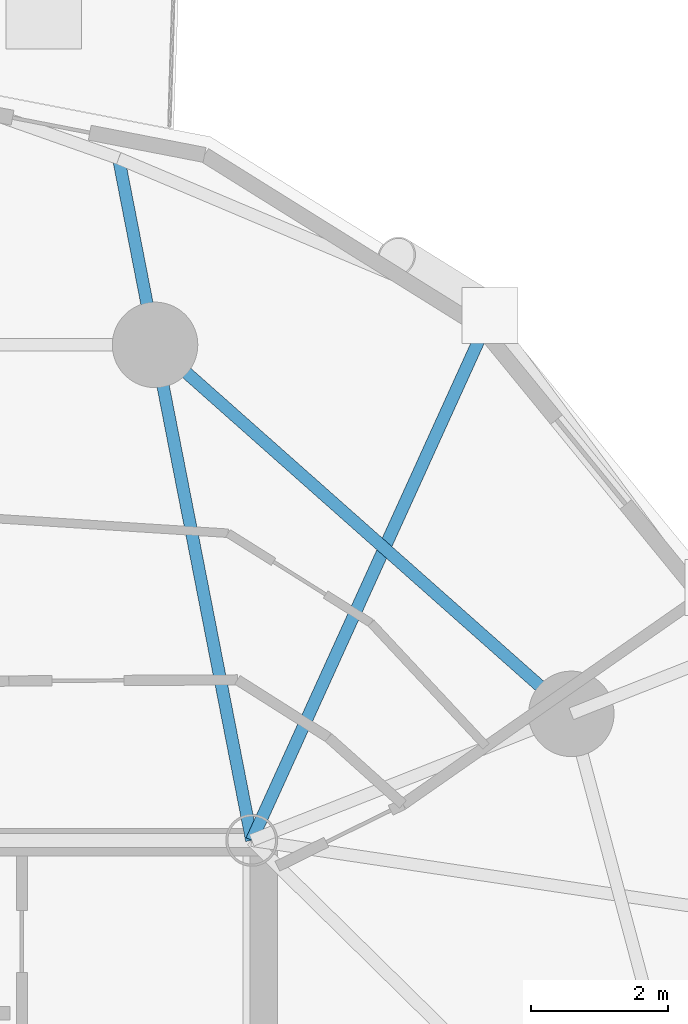
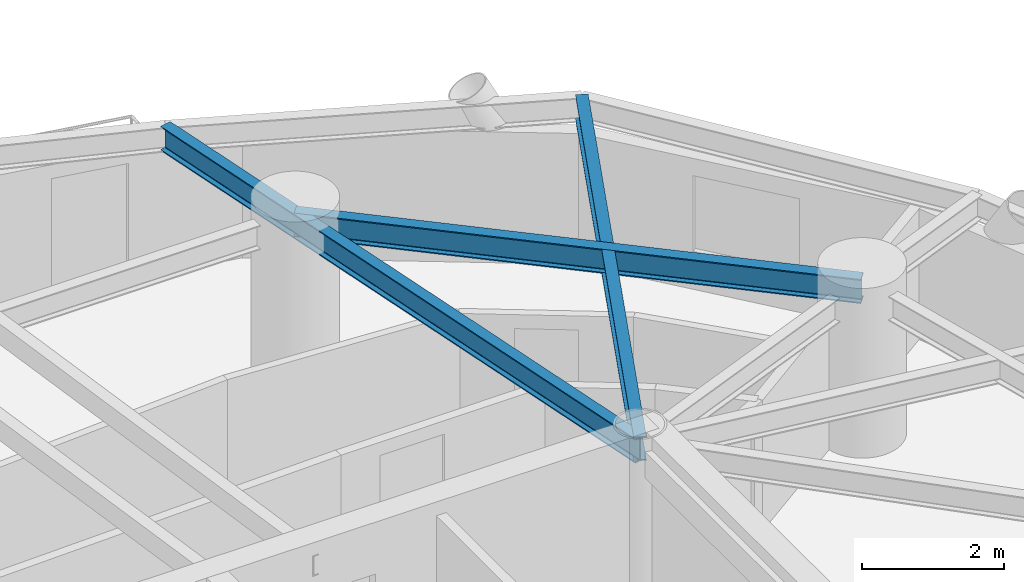
# One storey, part 4 of 19: 3 beams.
"""IFC4 building model written with IfcOpenShell, lengths in metres."""

from ifc_helpers import new_model, si_unit, direction, frame, origin, origin_2d, place, context, subcontext, project, spatial, i_section, extrude, material, material_profile, profile_set, type_object, element, save


model = new_model("IFC4")

# Units and contexts
model_context = context("Model", 3, precision=1e-05, world=origin(), true_north=direction((0.0, 1.0)))
body_context = subcontext(model_context, "Body", "Model", "MODEL_VIEW")
ifc_project = project(units=[si_unit("LENGTHUNIT", "METRE"), si_unit("AREAUNIT", "SQUARE_METRE"), si_unit("VOLUMEUNIT", "CUBIC_METRE"), si_unit("PLANEANGLEUNIT", "RADIAN"), si_unit("MASSUNIT", "GRAM", prefix="KILO")], contexts=[model_context])

# Site, building, storey
site_placement = place(None, origin())
site = spatial("IfcSite", under=ifc_project, at=site_placement, CompositionType="ELEMENT")
building_placement = place(site_placement, origin())
building = spatial("IfcBuilding", under=site, at=building_placement, Name="Cununo Teusaquillo Station Towers", CompositionType="ELEMENT")
storey_placement = place(building_placement, frame((0.0, 0.0, 160.330078125)))
storey = spatial("IfcBuildingStorey", under=building, at=storey_placement, Name="L50", CompositionType="ELEMENT", Elevation=160.330078125)

# Beams
ifc_material_1 = material(Name="Steel ASTM A572 Grade 50", Category="steel")
ifc_material_profile_1 = material_profile(ifc_material_1, i_section(OverallWidth=0.180908203125, OverallDepth=0.4169921875, WebThickness=0.010986328125, FlangeThickness=0.018310546875, FilletRadius=0.012939453125, at=origin_2d()), Name="W16X57")
ifc_profile_set_1 = profile_set([ifc_material_profile_1], Name="Steel ASTM A572 Grade 50")
beam_type_1 = type_object("IfcBeamType", Name="BM-JOIST-1", PredefinedType="JOIST", material=ifc_profile_set_1)
beam_1_placement = place(storey_placement, frame((21.675048828125, 31.3798828125, 2.4814453125), z_axis=(0.413558514621, 0.910477542274, 0.0), x_axis=(-0.910477542274, 0.413558514621, 0.0)))
element("IfcBeam", 1, at=beam_1_placement, inside=storey, type_object=beam_type_1, Name="L50 Tower A Radial Spandrel Joist V03", PredefinedType="JOIST", context=body_context, shape_type="SweptSolid", body=[
    extrude(i_section(OverallWidth=0.180908203125, OverallDepth=0.4169921875, WebThickness=0.010986328125, FlangeThickness=0.018310546875, FilletRadius=0.012939453125, at=origin_2d()), origin(), (0.0, 0.0, 1.0), 8.428955078125),
])
ifc_material_2 = material(Name="Steel ASTM A572 Grade 50", Category="steel")
ifc_material_profile_2 = material_profile(ifc_material_2, i_section(OverallWidth=0.180908203125, OverallDepth=0.4169921875, WebThickness=0.010986328125, FlangeThickness=0.018310546875, FilletRadius=0.012939453125, at=origin_2d()), Name="W16X57")
ifc_profile_set_2 = profile_set([ifc_material_profile_2], Name="Steel ASTM A572 Grade 50")
beam_type_2 = type_object("IfcBeamType", Name="BM-RAD-G2", PredefinedType="BEAM", material=ifc_profile_set_2)
beam_2_placement = place(storey_placement, frame((21.675048828125, 31.3798828125, 2.4814453125), z_axis=(-0.191552706487, 0.981482328235, 0.0), x_axis=(-0.981482328235, -0.191552706487, 0.0)))
element("IfcBeam", 2, at=beam_2_placement, inside=storey, type_object=beam_type_2, Name="L50 Tower A Continuous Overhanging Radial Girder 03", PredefinedType="BEAM", context=body_context, shape_type="SweptSolid", body=[
    extrude(i_section(OverallWidth=0.180908203125, OverallDepth=0.4169921875, WebThickness=0.010986328125, FlangeThickness=0.018310546875, FilletRadius=0.012939453125, at=origin_2d()), origin(), (0.0, 0.0, 1.0), 10.159423828125),
])
ifc_material_3 = material(Name="Steel ASTM A572 Grade 50", Category="steel")
ifc_material_profile_3 = material_profile(ifc_material_3, i_section(OverallWidth=0.180908203125, OverallDepth=0.4169921875, WebThickness=0.010986328125, FlangeThickness=0.018310546875, FilletRadius=0.012939453125, at=origin_2d()), Name="W16X57")
ifc_profile_set_3 = profile_set([ifc_material_profile_3], Name="Steel ASTM A572 Grade 50")
beam_type_3 = type_object("IfcBeamType", Name="BM-RING-Z3", PredefinedType="SPANDREL", material=ifc_profile_set_3)
beam_3_placement = place(storey_placement, frame((26.347412109375, 33.228515625, 2.4814453125), z_axis=(-0.74832120039, 0.66333655187, 0.0), x_axis=(-0.66333655187, -0.74832120039, 0.0)))
element("IfcBeam", 3, at=beam_3_placement, inside=storey, type_object=beam_type_3, Name="L50 Tower A Structural Column Ring Girder 02", PredefinedType="SPANDREL", context=body_context, shape_type="SweptSolid", body=[
    extrude(i_section(OverallWidth=0.180908203125, OverallDepth=0.4169921875, WebThickness=0.010986328125, FlangeThickness=0.018310546875, FilletRadius=0.012939453125, at=origin_2d()), origin(), (0.0, 0.0, 1.0), 8.1328125),
])

save(model, "model.ifc")
